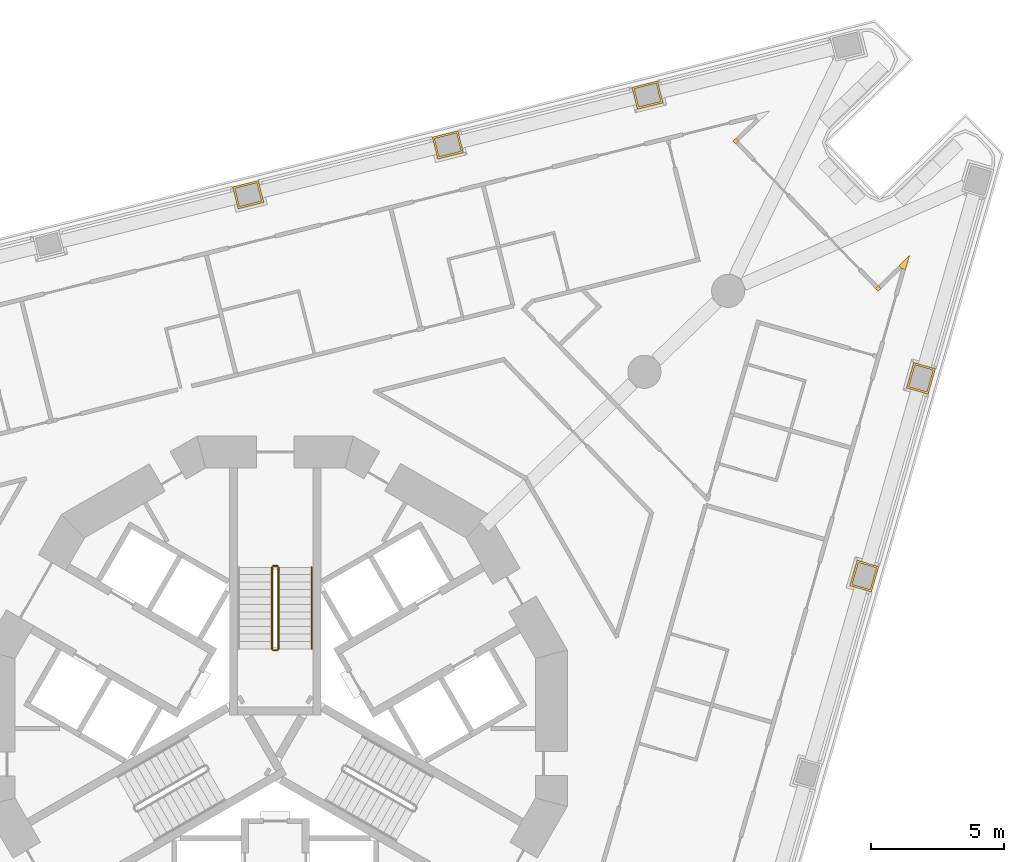
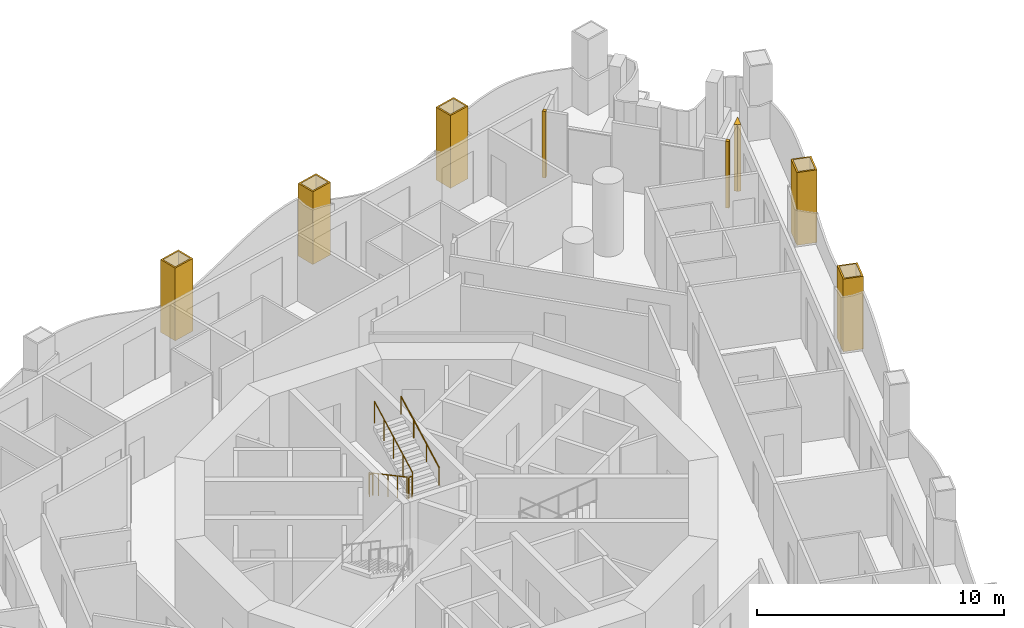
# One storey, part 16 of 18: 8 coverings, 5 railings.
"""IFC4 building model written with IfcOpenShell, lengths in metres."""

from ifc_helpers import new_model, si_unit, direction, frame, origin, origin_2d, place, context, subcontext, project, spatial, polyline, circle, outline, extrude, material, layer, layer_set, type_object, element, save


model = new_model("IFC4")

# Units and contexts
model_context = context("Model", 3, precision=1e-05, world=origin(), true_north=direction((0.0, 1.0)))
body_context = subcontext(model_context, "Body", "Model", "MODEL_VIEW")
ifc_project = project(units=[si_unit("LENGTHUNIT", "METRE"), si_unit("AREAUNIT", "SQUARE_METRE"), si_unit("VOLUMEUNIT", "CUBIC_METRE"), si_unit("PLANEANGLEUNIT", "RADIAN"), si_unit("MASSUNIT", "GRAM", prefix="KILO")], contexts=[model_context])

# Site, building, storey
site_placement = place(None, origin())
site = spatial("IfcSite", under=ifc_project, at=site_placement, CompositionType="ELEMENT")
building_placement = place(site_placement, origin())
building = spatial("IfcBuilding", under=site, at=building_placement, Name="Trine Commons Tower", CompositionType="ELEMENT")
storey_placement = place(building_placement, frame((0.0, 0.0, 94.5)))
storey = spatial("IfcBuildingStorey", under=building, at=storey_placement, Name="L23", CompositionType="ELEMENT", Elevation=94.5)

# Coverings
ifc_material_1 = material(Name="Aluminium-framed insulated wall panel", Category="aluminium")
ifc_layer_1 = layer(ifc_material_1, 0.14990234375)
ifc_layer_set_1 = layer_set([ifc_layer_1], Name="Aluminium-framed insulated wall panel")
covering_type_1 = type_object("IfcCoveringType", Name="Glazing corner post, aluminium", PredefinedType="CLADDING", material=ifc_layer_set_1)
covering_1_placement = place(storey_placement, origin())
element("IfcCovering", 1, at=covering_1_placement, inside=storey, type_object=covering_type_1, Name="Glazing corner post 3-06", PredefinedType="CLADDING", context=body_context, shape_type="SweptSolid", body=[
    extrude(outline(polyline([(97.36328125, 84.536376953125), (97.47119140625, 84.640380859375), (97.47119140625, 84.640380859375), (97.366943359375, 84.748291015625), (97.259033203125, 84.644287109375), (97.36328125, 84.536376953125)])), origin(), (0.0, 0.0, 1.0), 3.300048828125),
])
covering_2_placement = place(storey_placement, origin())
element("IfcCovering", 2, at=covering_2_placement, inside=storey, type_object=covering_type_1, Name="Glazing corner post 3-07", PredefinedType="CLADDING", context=body_context, shape_type="SweptSolid", body=[
    extrude(outline(polyline([(102.62890625, 79.083740234375), (102.73291015625, 78.975830078125), (102.8408203125, 79.080078125), (102.73681640625, 79.18798828125), (102.73681640625, 79.18798828125), (102.62890625, 79.083740234375)])), origin(), (0.0, 0.0, 1.0), 3.300048828125),
])
covering_3_placement = place(storey_placement, origin())
element("IfcCovering", 3, at=covering_3_placement, inside=storey, type_object=covering_type_1, Name="Glazing corner post 3-08", PredefinedType="CLADDING", context=body_context, shape_type="SweptSolid", body=[
    extrude(outline(polyline([(103.76611328125, 79.79296875), (103.92041015625, 80.3310546875), (103.517578125, 79.942138671875), (103.621826171875, 79.834228515625), (103.76611328125, 79.79296875)])), origin(), (0.0, 0.0, 1.0), 3.300048828125),
])
ifc_material_2 = material(Name="Limestone, honed", Category="masonry")
ifc_layer_2 = layer(ifc_material_2, 0.074951171875)
ifc_layer_set_2 = layer_set([ifc_layer_2], Name="Limestone, honed")
covering_type_2 = type_object("IfcCoveringType", Name="Limestone column cladding 75", PredefinedType="CLADDING", material=ifc_layer_set_2)
covering_4_placement = place(storey_placement, origin())
element("IfcCovering", 4, at=covering_4_placement, inside=storey, type_object=covering_type_2, Name="Limestone pier cladding 3-13", PredefinedType="CLADDING", context=body_context, shape_type="SweptSolid", body=[
    extrude(outline(polyline([(79.569091796875, 82.32861328125), (79.36328125, 83.1533203125), (78.39306640625, 82.91162109375), (78.598876953125, 82.0869140625), (79.569091796875, 82.32861328125)]), holes=[polyline([(79.47802734375, 82.38330078125), (79.308837890625, 83.0625), (78.484130859375, 82.85693359375), (78.6533203125, 82.177734375), (79.47802734375, 82.38330078125)])]), origin(), (0.0, 0.0, 1.0), 3.60009765625),
])
covering_5_placement = place(storey_placement, origin())
element("IfcCovering", 5, at=covering_5_placement, inside=storey, type_object=covering_type_2, Name="Limestone pier cladding 3-14", PredefinedType="CLADDING", context=body_context, shape_type="SweptSolid", body=[
    extrude(outline(polyline([(87.09619140625, 84.205322265625), (86.890625, 85.030029296875), (85.92041015625, 84.7880859375), (86.1259765625, 83.96337890625), (87.09619140625, 84.205322265625)]), holes=[polyline([(87.00537109375, 84.260009765625), (86.8359375, 84.939208984375), (86.01123046875, 84.733642578125), (86.1806640625, 84.054443359375), (87.00537109375, 84.260009765625)])]), origin(), (0.0, 0.0, 1.0), 3.60009765625),
])
covering_6_placement = place(storey_placement, origin())
element("IfcCovering", 6, at=covering_6_placement, inside=storey, type_object=covering_type_2, Name="Limestone pier cladding 3-15", PredefinedType="CLADDING", context=body_context, shape_type="SweptSolid", body=[
    extrude(outline(polyline([(94.62353515625, 86.082275390625), (94.417724609375, 86.906982421875), (93.447509765625, 86.6650390625), (93.6533203125, 85.84033203125), (94.62353515625, 86.082275390625)]), holes=[polyline([(94.532470703125, 86.13671875), (94.36328125, 86.81591796875), (93.53857421875, 86.6103515625), (93.707763671875, 85.93115234375), (94.532470703125, 86.13671875)])]), origin(), (0.0, 0.0, 1.0), 3.60009765625),
])
covering_7_placement = place(storey_placement, origin())
element("IfcCovering", 7, at=covering_7_placement, inside=storey, type_object=covering_type_2, Name="Limestone pier cladding 3-18", PredefinedType="CLADDING", context=body_context, shape_type="SweptSolid", body=[
    extrude(outline(polyline([(104.895263671875, 76.057373046875), (104.078125, 76.29150390625), (103.802490234375, 75.330322265625), (104.61962890625, 75.095947265625), (104.895263671875, 76.057373046875)]), holes=[polyline([(104.802490234375, 76.005859375), (104.129638671875, 76.19873046875), (103.895263671875, 75.381591796875), (104.568115234375, 75.188720703125), (104.802490234375, 76.005859375)])]), origin(), (0.0, 0.0, 1.0), 3.60009765625),
])
covering_8_placement = place(storey_placement, origin())
element("IfcCovering", 8, at=covering_8_placement, inside=storey, type_object=covering_type_2, Name="Limestone pier cladding 3-19", PredefinedType="CLADDING", context=body_context, shape_type="SweptSolid", body=[
    extrude(outline(polyline([(102.757080078125, 68.60009765625), (101.93994140625, 68.83447265625), (101.664306640625, 67.873291015625), (102.481201171875, 67.638916015625), (102.757080078125, 68.60009765625)]), holes=[polyline([(102.664306640625, 68.548828125), (101.9912109375, 68.74169921875), (101.757080078125, 67.924560546875), (102.429931640625, 67.731689453125), (102.664306640625, 68.548828125)])]), origin(), (0.0, 0.0, 1.0), 3.60009765625),
])

# Railings
ifc_material_3 = material(Name="Stainless steel balustrade", Category="steel")
railing_type_1 = type_object("IfcRailingType", Name="Stair guard, steel balustrade 1100", PredefinedType="GUARDRAIL", material=ifc_material_3)
railing_1_placement = place(storey_placement, frame((79.875, 68.570556640625, 0.14990234375)))
element("IfcRailing", 9, at=railing_1_placement, inside=storey, type_object=railing_type_1, Name="L23 ST1A stair guard 1", PredefinedType="GUARDRAIL", context=body_context, shape_type="SweptSolid", body=[
    extrude(circle(Radius=0.02392578125, at=origin_2d()), frame((0.0, 0.0, 1.076171875), z_axis=(0.0, -0.881467505477, 0.472244678941), x_axis=(1.0, 0.0, 0.0)), (0.0, 0.0, 1.0), 3.494140625),
    extrude(circle(Radius=0.02099609375, at=origin_2d()), origin(), (0.0, 0.0, 1.0), 1.052001953125),
    extrude(circle(Radius=0.02099609375, at=origin_2d()), frame((0.0, -0.77001953125, 0.41259765625)), (0.0, 0.0, 1.0), 1.052001953125),
    extrude(circle(Radius=0.02099609375, at=origin_2d()), frame((0.0, -1.5400390625, 0.8251953125)), (0.0, 0.0, 1.0), 1.052001953125),
    extrude(circle(Radius=0.02099609375, at=origin_2d()), frame((0.0, -2.31005859375, 1.237548828125)), (0.0, 0.0, 1.0), 1.052001953125),
    extrude(circle(Radius=0.02099609375, at=origin_2d()), frame((0.0, -3.080078125, 1.650146484375)), (0.0, 0.0, 1.0), 1.052001953125),
])
railing_2_placement = place(storey_placement, frame((79.925048828125, 65.440673828125, 1.800048828125)))
element("IfcRailing", 10, at=railing_2_placement, inside=storey, type_object=railing_type_1, Name="L23 ST1A stair guard 2", PredefinedType="GUARDRAIL", context=body_context, shape_type="SweptSolid", body=[
    extrude(circle(Radius=0.02392578125, at=origin_2d()), frame((0.0, 0.0, 1.076171875), z_axis=(1.0, 0.0, 0.0), x_axis=(0.0, 1.0, 0.0)), (0.0, 0.0, 1.0), 0.14990234375),
    extrude(circle(Radius=0.02099609375, at=origin_2d()), origin(), (0.0, 0.0, 1.0), 1.052001953125),
    extrude(circle(Radius=0.02099609375, at=origin_2d()), frame((0.14990234375, 0.0, 0.0)), (0.0, 0.0, 1.0), 1.052001953125),
])
railing_3_placement = place(storey_placement, frame((80.125, 65.490478515625, 1.949951171875)))
element("IfcRailing", 11, at=railing_3_placement, inside=storey, type_object=railing_type_1, Name="L23 ST1A stair guard 3", PredefinedType="GUARDRAIL", context=body_context, shape_type="SweptSolid", body=[
    extrude(circle(Radius=0.02392578125, at=origin_2d()), frame((0.0, 0.0, 1.076171875), z_axis=(0.0, 0.881467505477, 0.472244678941), x_axis=(-1.0, 0.0, 0.0)), (0.0, 0.0, 1.0), 3.494140625),
    extrude(circle(Radius=0.02099609375, at=origin_2d()), origin(), (0.0, 0.0, 1.0), 1.052001953125),
    extrude(circle(Radius=0.02099609375, at=origin_2d()), frame((0.0, 0.77001953125, 0.41259765625)), (0.0, 0.0, 1.0), 1.052001953125),
    extrude(circle(Radius=0.02099609375, at=origin_2d()), frame((0.0, 1.5400390625, 0.8251953125)), (0.0, 0.0, 1.0), 1.052001953125),
    extrude(circle(Radius=0.02099609375, at=origin_2d()), frame((0.0, 2.31005859375, 1.237548828125)), (0.0, 0.0, 1.0), 1.052001953125),
    extrude(circle(Radius=0.02099609375, at=origin_2d()), frame((0.0, 3.080078125, 1.650146484375)), (0.0, 0.0, 1.0), 1.052001953125),
])
railing_4_placement = place(storey_placement, frame((79.925048828125, 68.62060546875, 0.0)))
element("IfcRailing", 12, at=railing_4_placement, inside=storey, type_object=railing_type_1, Name="L23 ST1A stair guard 4", PredefinedType="GUARDRAIL", context=body_context, shape_type="SweptSolid", body=[
    extrude(circle(Radius=0.02392578125, at=origin_2d()), frame((0.0, 0.0, 1.076171875), z_axis=(1.0, 0.0, 0.0), x_axis=(0.0, 1.0, 0.0)), (0.0, 0.0, 1.0), 0.14990234375),
    extrude(circle(Radius=0.02099609375, at=origin_2d()), origin(), (0.0, 0.0, 1.0), 1.052001953125),
    extrude(circle(Radius=0.02099609375, at=origin_2d()), frame((0.14990234375, 0.0, 0.0)), (0.0, 0.0, 1.0), 1.052001953125),
])
ifc_material_4 = material(Name="Stainless steel handrail", Category="steel")
railing_type_2 = type_object("IfcRailingType", Name="Stair handrail, steel 900", PredefinedType="HANDRAIL", material=ifc_material_4)
railing_5_placement = place(storey_placement, frame((81.375, 65.490478515625, 1.949951171875)))
element("IfcRailing", 13, at=railing_5_placement, inside=storey, type_object=railing_type_2, Name="L23 ST1A stair handrail 2", PredefinedType="HANDRAIL", context=body_context, shape_type="SweptSolid", body=[
    extrude(circle(Radius=0.02099609375, at=origin_2d()), frame((0.0, 0.0, 0.87890625), z_axis=(0.0, 0.881467505477, 0.472244678941), x_axis=(-1.0, 0.0, 0.0)), (0.0, 0.0, 1.0), 3.494140625),
    extrude(circle(Radius=0.01513671875, at=origin_2d()), origin(), (0.0, 0.0, 1.0), 0.85791015625),
    extrude(circle(Radius=0.01513671875, at=origin_2d()), frame((0.0, 1.026611328125, 0.550048828125)), (0.0, 0.0, 1.0), 0.85791015625),
    extrude(circle(Radius=0.01513671875, at=origin_2d()), frame((0.0, 2.053466796875, 1.10009765625)), (0.0, 0.0, 1.0), 0.85791015625),
    extrude(circle(Radius=0.01513671875, at=origin_2d()), frame((0.0, 3.080078125, 1.650146484375)), (0.0, 0.0, 1.0), 0.85791015625),
])

save(model, "model.ifc")
